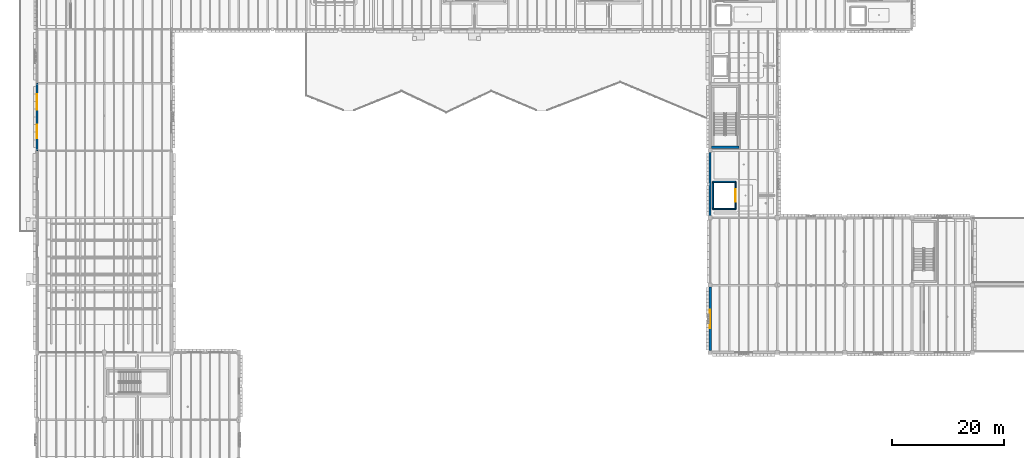
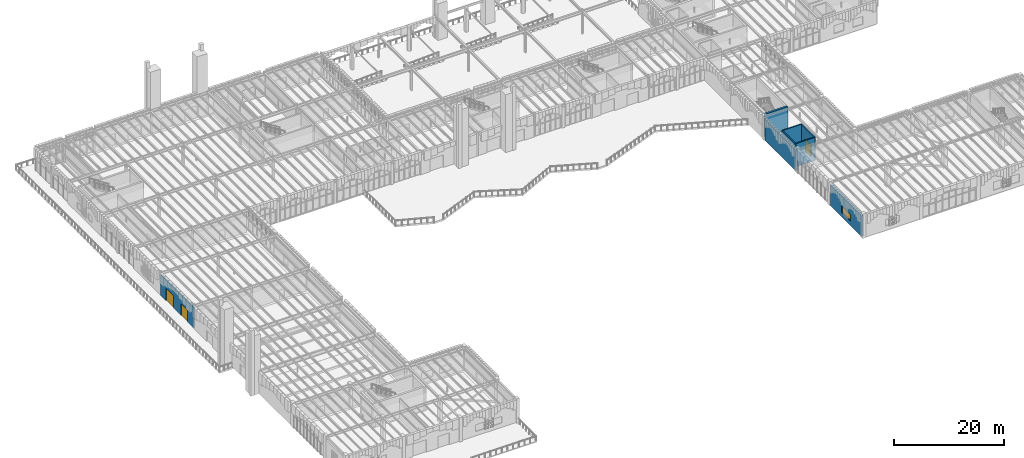
# One storey, part 52 of 103: 8 walls, 3 doors, 1 window, 4 openings.
"""IFC4 building model written with IfcOpenShell, lengths in metres."""

import ifcopenshell
import ifcopenshell.guid

model = None  # the IFC model being written
_history = None  # IfcOwnerHistory: only IFC2X3 demands one
_inside = {}  # id of a spatial element -> (the spatial element, [elements in it])
_under = {}  # id of a project, library or spatial element -> (it, [spatial elements below it])
_declared = {}  # id of a project -> (the project, [libraries it declares])
_typed = {}  # id of a type object -> (the type object, [elements of that type])
_made_of = {}  # id of a material, layer set ... -> (it, [elements and type objects made of it])


def new_model(schema):
    """Start an empty IFC model of exactly this schema.

    Asked for "IFC4X3", IfcOpenShell would pick the latest addendum, in which some entities
    have other attributes; the version numbers below select the first issue.
    IFC2X3 requires an IfcOwnerHistory on every rooted entity: one is made here for all.
    """
    global model, _history
    if schema == "IFC4X3":
        model = ifcopenshell.file(schema_version=(4, 3, 0, 0))
    else:
        model = ifcopenshell.file(schema=schema)
    _inside.clear()
    _under.clear()
    _declared.clear()
    _typed.clear()
    _made_of.clear()
    _history = None
    if model.schema == "IFC2X3":
        org = make("IfcOrganization", Name="unknown")
        user = make(
            "IfcPersonAndOrganization",
            ThePerson=make("IfcPerson", FamilyName="unknown"),
            TheOrganization=org,
        )
        app = make(
            "IfcApplication",
            ApplicationDeveloper=org,
            Version="unknown",
            ApplicationFullName="unknown",
            ApplicationIdentifier="unknown",
        )
        _history = make(
            "IfcOwnerHistory",
            OwningUser=user,
            OwningApplication=app,
            ChangeAction="ADDED",
            CreationDate=0,
        )
    return model


def make(cls, **values):
    """One entity of the class cls with the attributes given. An attribute that is None is left unset."""
    return model.create_entity(
        cls, **{name: value for name, value in values.items() if value is not None}
    )


def rooted(cls, **values):
    """An entity with a GlobalId (a new one), such as an element, a storey or a relation."""
    return make(cls, GlobalId=ifcopenshell.guid.new(), OwnerHistory=_history, **values)


def si_unit(unit_type, name, prefix=None):
    """IfcSIUnit, for example si_unit("LENGTHUNIT", "METRE", prefix="MILLI")."""
    return make("IfcSIUnit", UnitType=unit_type, Prefix=prefix, Name=name)


def assignment(units):
    """IfcUnitAssignment: the units of a project."""
    return None if units is None else make("IfcUnitAssignment", Units=units)


def point(xyz):
    """IfcCartesianPoint."""
    return None if xyz is None else make("IfcCartesianPoint", Coordinates=xyz)


def direction(xyz):
    """IfcDirection."""
    return None if xyz is None else make("IfcDirection", DirectionRatios=xyz)


def frame(location, z_axis=None, x_axis=None):
    """IfcAxis2Placement3D, a coordinate frame: its origin and axes. An axis left out is left unset."""
    return make(
        "IfcAxis2Placement3D",
        Location=point(location),
        Axis=direction(z_axis),
        RefDirection=direction(x_axis),
    )


def frame_2d(location, x_axis=None):
    """IfcAxis2Placement2D, a coordinate frame in the plane: its origin and x axis."""
    return make(
        "IfcAxis2Placement2D", Location=point(location), RefDirection=direction(x_axis)
    )


def origin():
    """The frame at (0, 0, 0) with its axes left unset."""
    return frame((0.0, 0.0, 0.0))


def place(relative_to, where):
    """IfcLocalPlacement: puts the frame where relative to a parent placement (None: the world)."""
    return make(
        "IfcLocalPlacement", PlacementRelTo=relative_to, RelativePlacement=where
    )


def context(
    kind, dimensions, precision=None, world=None, true_north=None, identifier=None
):
    """IfcGeometricRepresentationContext, for example the 3D "Model" context."""
    return make(
        "IfcGeometricRepresentationContext",
        ContextIdentifier=identifier,
        ContextType=kind,
        CoordinateSpaceDimension=dimensions,
        Precision=precision,
        WorldCoordinateSystem=world,
        TrueNorth=true_north,
    )


def subcontext(parent, identifier, kind, view, scale=None):
    """IfcGeometricRepresentationSubContext, for example "Body" below "Model"."""
    return make(
        "IfcGeometricRepresentationSubContext",
        ContextIdentifier=identifier,
        ContextType=kind,
        ParentContext=parent,
        TargetScale=scale,
        TargetView=view,
    )


def project(units=None, contexts=None):
    """IfcProject with its units and contexts."""
    return rooted(
        "IfcProject",
        Name="project",
        RepresentationContexts=contexts,
        UnitsInContext=assignment(units),
    )


def spatial(cls, under=None, at=None, **own):
    """A site, building, storey or space (cls), placed at a placement, below another one or the project."""
    s = rooted(cls, ObjectPlacement=at, **own)
    if under is not None:
        _under.setdefault(under.id(), (under, []))[1].append(s)
    return s


def profile(cls, at=None, kind="AREA", **sizes):
    """A parametric profile (cls). Its sizes go by their IFC names, for example OverallWidth=200.0."""
    return make(cls, ProfileType=kind, Position=at, **sizes)


def rectangle(**sizes):
    """IfcRectangleProfileDef."""
    return profile("IfcRectangleProfileDef", **sizes)


def extrude(swept, where, along, depth):
    """IfcExtrudedAreaSolid: the profile swept, set in the frame where, extruded along a direction by depth."""
    return make(
        "IfcExtrudedAreaSolid",
        SweptArea=swept,
        Position=where,
        ExtrudedDirection=direction(along),
        Depth=depth,
    )


def shape(context_of_items, identifier, shape_type, items):
    """IfcShapeRepresentation: the items that make up one representation, for example the "Body"."""
    return make(
        "IfcShapeRepresentation",
        ContextOfItems=context_of_items,
        RepresentationIdentifier=identifier,
        RepresentationType=shape_type,
        Items=items,
    )


def material(Name=None, Category=None):
    """IfcMaterial."""
    return make("IfcMaterial", Name=Name, Category=Category)


def layer(
    of_material, thickness, ventilated=None, Name=None, Category=None, Priority=None
):
    """IfcMaterialLayer: one layer of a wall or slab, of a material (None: an air gap)."""
    return make(
        "IfcMaterialLayer",
        Material=of_material,
        LayerThickness=thickness,
        IsVentilated=ventilated,
        Name=Name,
        Category=Category,
        Priority=Priority,
    )


def layer_set(layers, Name=None):
    """IfcMaterialLayerSet."""
    return make("IfcMaterialLayerSet", MaterialLayers=layers, LayerSetName=Name)


def made_of(thing, what):
    """Note that an element or type object is made of a material, layer set ...; save() writes the relation."""
    if what is not None:
        _made_of.setdefault(what.id(), (what, []))[1].append(thing)
    return thing


def type_object(cls, material=None, **own):
    """A type object (cls), such as IfcWallType, which elements share."""
    return made_of(rooted(cls, **own), material)


def element(
    cls,
    number,
    at=None,
    inside=None,
    cuts=None,
    type_object=None,
    material=None,
    context=None,
    identifier="Body",
    shape_type=None,
    held_by="IfcProductDefinitionShape",
    body=None,
    shapes=None,
    **own,
):
    """One element of the class cls, such as IfcWall. Its Tag is "e" and its number.

    at: its placement. inside: the storey or other place that contains it. cuts: it is an
    opening in that element (IfcRelVoidsElement). A single representation is given by context,
    identifier, shape_type and body (its items); several are given by shapes. held_by: the class
    of the entity that holds the representations. save() writes the other relations.
    """
    e = rooted(cls, Tag="e%d" % number, ObjectPlacement=at, **own)
    if body is not None:
        shapes = [shape(context, identifier, shape_type, body)]
    if shapes is not None:
        e.Representation = make(held_by, Representations=shapes)
    if inside is not None:
        _inside.setdefault(inside.id(), (inside, []))[1].append(e)
    if cuts is not None:
        rooted(
            "IfcRelVoidsElement", RelatingBuildingElement=cuts, RelatedOpeningElement=e
        )
    if type_object is not None:
        _typed.setdefault(type_object.id(), (type_object, []))[1].append(e)
    return made_of(e, material)


def fill(opening, filler):
    """IfcRelFillsElement: the door or window that sits in an opening."""
    return rooted(
        "IfcRelFillsElement",
        RelatingOpeningElement=opening,
        RelatedBuildingElement=filler,
    )


def aggregate(whole, parts):
    """IfcRelAggregates: a whole, such as a stair, and the parts it consists of."""
    return rooted("IfcRelAggregates", RelatingObject=whole, RelatedObjects=parts)


def save(model, path):
    """Write the relations noted so far, then the file.

    IfcRelAggregates (storeys below a building ...), IfcRelContainedInSpatialStructure (elements
    in a storey), IfcRelDefinesByType, IfcRelAssociatesMaterial and IfcRelDeclares: one each for
    every whole, place, type object, material and project.
    """
    for whole, parts in _under.values():
        aggregate(whole, parts)
    for where, things in _inside.values():
        rooted(
            "IfcRelContainedInSpatialStructure",
            RelatedElements=things,
            RelatingStructure=where,
        )
    for kind, things in _typed.values():
        rooted("IfcRelDefinesByType", RelatedObjects=things, RelatingType=kind)
    for what, things in _made_of.values():
        rooted("IfcRelAssociatesMaterial", RelatedObjects=things, RelatingMaterial=what)
    for by, libraries in _declared.values():
        rooted("IfcRelDeclares", RelatingContext=by, RelatedDefinitions=libraries)
    model.write(path)


model = new_model("IFC4")

# Units and contexts
model_context = context("Model", 3, precision=1e-05, world=origin(), true_north=direction((0.0, 1.0)))
body_context = subcontext(model_context, "Body", "Model", "MODEL_VIEW")
ifc_project = project(units=[si_unit("LENGTHUNIT", "METRE"), si_unit("AREAUNIT", "SQUARE_METRE"), si_unit("VOLUMEUNIT", "CUBIC_METRE"), si_unit("PLANEANGLEUNIT", "RADIAN"), si_unit("MASSUNIT", "GRAM", prefix="KILO")], contexts=[model_context])

# Site, building, storey
site_placement = place(None, origin())
site = spatial("IfcSite", under=ifc_project, at=site_placement, CompositionType="ELEMENT")
building_placement = place(site_placement, origin())
building = spatial("IfcBuilding", under=site, at=building_placement, Name="Zlatogorsky Bluff Art Gallery", CompositionType="ELEMENT")
storey_placement = place(building_placement, origin())
storey = spatial("IfcBuildingStorey", under=building, at=storey_placement, Name="L00", CompositionType="ELEMENT", Elevation=0.0)

# Wall
ifc_material_1 = material(Name="Precast concrete C40/50", Category="concrete")
ifc_layer_1 = layer(ifc_material_1, 0.360107421875)
ifc_layer_set_1 = layer_set([ifc_layer_1], Name="Exterior Wall EW-01 360mm")
wall_type_1 = type_object("IfcWallType", Name="Exterior Wall EW-01 360mm", PredefinedType="SOLIDWALL", material=ifc_layer_set_1)
wall_1_placement = place(storey_placement, frame((120.0, 62.030029296875, 0.0), z_axis=(0.0, 0.0, 1.0), x_axis=(0.0, -1.0, 0.0)))
element("IfcWall", 1, at=wall_1_placement, inside=storey, type_object=wall_type_1, Name="Exterior wall EW-01 L00 W 10.5", PredefinedType="SOLIDWALL", context=body_context, shape_type="SweptSolid", body=[
    extrude(rectangle(XDim=11.260009765625, YDim=0.360107421875, at=frame_2d((5.6298828125, 0.0))), origin(), (0.0, 0.0, 1.0), 4.56005859375),
])

# Wall, opening, window
ifc_layer_2 = layer(ifc_material_1, 0.43994140625)
ifc_layer_set_2 = layer_set([ifc_layer_2], Name="Exterior Wall EW-03 440mm")
wall_type_2 = type_object("IfcWallType", Name="Exterior Wall EW-03 440mm", PredefinedType="SOLIDWALL", material=ifc_layer_set_2)
wall_2_placement = place(storey_placement, frame((120.0, 38.030029296875, 0.0), z_axis=(0.0, 0.0, 1.0), x_axis=(0.0, -1.0, 0.0)))
wall_2 = element("IfcWall", 2, at=wall_2_placement, inside=storey, type_object=wall_type_2, Name="Exterior wall EW-03 L00 W 10.3", PredefinedType="SOLIDWALL", context=body_context, shape_type="SweptSolid", body=[
    extrude(rectangle(XDim=11.260009765625, YDim=0.43994140625, at=frame_2d((5.6298828125, 0.0))), origin(), (0.0, 0.0, 1.0), 4.56005859375),
])
opening_1_placement = place(wall_2_placement, frame((3.97998046875, 0.0, 0.949951171875)))
opening_1 = element("IfcOpeningElement", 3, at=opening_1_placement, cuts=wall_2, Name="Opening WN-12", PredefinedType="OPENING", context=body_context, shape_type="SweptSolid", body=[
    extrude(rectangle(XDim=3.300048828125, YDim=1.5, at=frame_2d((1.64990234375, 0.75))), frame((0.0, 0.22998046875, 0.0), z_axis=(0.0, -1.0, 0.0), x_axis=(1.0, 0.0, 0.0)), (0.0, 0.0, 1.0), 0.4599609375),
])
ifc_material_2 = material(Name="Bronze-Anodised Aluminium Triple Glazing", Category="aluminium")
window_type = type_object("IfcWindowType", Name="Pointed-Reveal Window WN-12 3300x1500", PartitioningType="SINGLE_PANEL", PredefinedType="WINDOW", material=ifc_material_2)
window_placement = place(opening_1_placement, origin())
window = element("IfcWindow", 4, at=window_placement, inside=storey, type_object=window_type, Name="Window WN-12 L00.W.10.3.1", OverallHeight=1.5, OverallWidth=3.300048828125, PartitioningType="SINGLE_PANEL", PredefinedType="WINDOW", context=body_context, shape_type="SweptSolid", body=[
    extrude(rectangle(XDim=3.300048828125, YDim=1.5, at=frame_2d((1.64990234375, 0.75))), frame((0.0, 0.030029296875, 0.0), z_axis=(0.0, -1.0, 0.0), x_axis=(1.0, 0.0, 0.0)), (0.0, 0.0, 1.0), 0.06005859375),
])
fill(opening_1, window)

# Wall, openings, doors
ifc_layer_3 = layer(ifc_material_1, 0.320068359375)
ifc_layer_set_3 = layer_set([ifc_layer_3], Name="Exterior Wall EW-04 320mm")
wall_type_3 = type_object("IfcWallType", Name="Exterior Wall EW-04 320mm", PredefinedType="SOLIDWALL", material=ifc_layer_set_3)
wall_3_placement = place(storey_placement, frame((0.0, 74.39990234375, 0.0), z_axis=(0.0, 0.0, 1.0), x_axis=(0.0, -1.0, 0.0)))
wall_3 = element("IfcWall", 5, at=wall_3_placement, inside=storey, type_object=wall_type_3, Name="Exterior wall EW-04 L00 W 0.6", PredefinedType="SOLIDWALL", context=body_context, shape_type="SweptSolid", body=[
    extrude(rectangle(XDim=12.0, YDim=0.320068359375, at=frame_2d((6.0, 0.0))), origin(), (0.0, 0.0, 1.0), 4.56005859375),
])
opening_2_placement = place(wall_3_placement, frame((1.9599609375, 0.0, 0.0)))
opening_2 = element("IfcOpeningElement", 6, at=opening_2_placement, cuts=wall_3, Name="Opening ED-T3", PredefinedType="OPENING", context=body_context, shape_type="SweptSolid", body=[
    extrude(rectangle(XDim=2.800048828125, YDim=2.800048828125, at=frame_2d((1.39990234375, 1.39990234375))), frame((0.0, 0.169921875, 0.0), z_axis=(0.0, -1.0, 0.0), x_axis=(1.0, 0.0, 0.0)), (0.0, 0.0, 1.0), 0.340087890625),
])
opening_3_placement = place(wall_3_placement, frame((7.43994140625, 0.0, 0.0)))
opening_3 = element("IfcOpeningElement", 7, at=opening_3_placement, cuts=wall_3, Name="Opening ED-T2", PredefinedType="OPENING", context=body_context, shape_type="SweptSolid", body=[
    extrude(rectangle(XDim=2.39990234375, YDim=2.60009765625, at=frame_2d((1.199951171875, 1.300048828125))), frame((0.0, 0.169921875, 0.0), z_axis=(0.0, -1.0, 0.0), x_axis=(1.0, 0.0, 0.0)), (0.0, 0.0, 1.0), 0.340087890625),
])
ifc_material_3 = material(Name="Bronze-Clad Thermally Broken Steel and Laminated Glass", Category="steel")
door_type_1 = type_object("IfcDoorType", Name="Exterior Door ED-T2 2400x2600", OperationType="DOUBLE_DOOR_SINGLE_SWING", PredefinedType="DOOR", material=ifc_material_3)
door_1_placement = place(opening_3_placement, frame((2.39990234375, 0.0, 0.0), z_axis=(0.0, 0.0, 1.0), x_axis=(-1.0, 0.0, 0.0)))
door_1 = element("IfcDoor", 8, at=door_1_placement, inside=storey, type_object=door_type_1, Name="Ground exit portal double door ED-T2 W.0.6.2", OperationType="DOUBLE_DOOR_SINGLE_SWING", OverallHeight=2.60009765625, OverallWidth=2.39990234375, PredefinedType="DOOR", context=body_context, shape_type="SweptSolid", body=[
    extrude(rectangle(XDim=2.39990234375, YDim=2.60009765625, at=frame_2d((1.199951171875, 1.300048828125))), frame((0.0, 0.02490234375, 0.0), z_axis=(0.0, -1.0, 0.0), x_axis=(1.0, 0.0, 0.0)), (0.0, 0.0, 1.0), 0.050048828125),
])
fill(opening_3, door_1)
door_type_2 = type_object("IfcDoorType", Name="Exterior Door ED-T3 2800x2800", OperationType="DOUBLE_DOOR_SINGLE_SWING", PredefinedType="DOOR", material=ifc_material_3)
door_2_placement = place(opening_2_placement, frame((2.800048828125, 0.0, 0.0), z_axis=(0.0, 0.0, 1.0), x_axis=(-1.0, 0.0, 0.0)))
door_2 = element("IfcDoor", 9, at=door_2_placement, inside=storey, type_object=door_type_2, Name="Ground exit portal double door ED-T3 W.0.6.1", OperationType="DOUBLE_DOOR_SINGLE_SWING", OverallHeight=2.800048828125, OverallWidth=2.800048828125, PredefinedType="DOOR", context=body_context, shape_type="SweptSolid", body=[
    extrude(rectangle(XDim=2.800048828125, YDim=2.800048828125, at=frame_2d((1.39990234375, 1.39990234375))), frame((0.0, 0.02490234375, 0.0), z_axis=(0.0, -1.0, 0.0), x_axis=(1.0, 0.0, 0.0)), (0.0, 0.0, 1.0), 0.050048828125),
])
fill(opening_2, door_2)

# Wall
ifc_material_4 = material(Name="Concrete C35/45", Category="concrete")
ifc_layer_4 = layer(ifc_material_4, 0.25)
ifc_layer_set_4 = layer_set([ifc_layer_4], Name="Interior Wall IW-05 250mm")
wall_type_4 = type_object("IfcWallType", Name="Interior Wall IW-05 250mm", PredefinedType="SOLIDWALL", material=ifc_layer_set_4)
wall_4_placement = place(storey_placement, frame((120.4951171875, 51.97509765625, 0.0), z_axis=(0.0, 0.0, 1.0), x_axis=(1.0, 0.0, 0.0)))
element("IfcWall", 10, at=wall_4_placement, inside=storey, type_object=wall_type_4, Name="Lift GL-1 shaft wall L00 S", PredefinedType="SOLIDWALL", context=body_context, shape_type="SweptSolid", body=[
    extrude(rectangle(XDim=4.0498046875, YDim=0.25, at=frame_2d((2.02490234375, 0.0))), origin(), (0.0, 0.0, 1.0), 5.139892578125),
])

# Wall, opening, door
wall_5_placement = place(storey_placement, frame((124.544921875, 51.97509765625, 0.0), z_axis=(0.0, 0.0, 1.0), x_axis=(0.0, 1.0, 0.0)))
wall_5 = element("IfcWall", 11, at=wall_5_placement, inside=storey, type_object=wall_type_4, Name="Lift GL-1 shaft wall L00 E", PredefinedType="SOLIDWALL", context=body_context, shape_type="SweptSolid", body=[
    extrude(rectangle(XDim=4.849853515625, YDim=0.25, at=frame_2d((2.4248046875, 0.0))), origin(), (0.0, 0.0, 1.0), 5.139892578125),
])
opening_4_placement = place(wall_5_placement, frame((1.324951171875, 0.0, 0.0)))
opening_4 = element("IfcOpeningElement", 12, at=opening_4_placement, cuts=wall_5, Name="Opening LD-04", PredefinedType="OPENING", context=body_context, shape_type="SweptSolid", body=[
    extrude(rectangle(XDim=2.199951171875, YDim=2.64990234375, at=frame_2d((1.10009765625, 1.324951171875))), frame((0.0, 0.135009765625, 0.0), z_axis=(0.0, -1.0, 0.0), x_axis=(1.0, 0.0, 0.0)), (0.0, 0.0, 1.0), 0.27001953125),
])
ifc_material_5 = material(Name="Anodised Aluminium and Laminated Timber", Category="wood")
door_type_3 = type_object("IfcDoorType", Name="Interior Door LD-04 2200x2650", OperationType="DOUBLE_DOOR_SLIDING", PredefinedType="DOOR", material=ifc_material_5)
door_3_placement = place(opening_4_placement, origin())
door_3 = element("IfcDoor", 13, at=door_3_placement, inside=storey, type_object=door_type_3, Name="Lift GL-1 sliding landing door L00", OperationType="DOUBLE_DOOR_SLIDING", OverallHeight=2.64990234375, OverallWidth=2.199951171875, PredefinedType="DOOR", context=body_context, shape_type="SweptSolid", body=[
    extrude(rectangle(XDim=2.199951171875, YDim=2.64990234375, at=frame_2d((1.10009765625, 1.324951171875))), frame((0.0, 0.02490234375, 0.0), z_axis=(0.0, -1.0, 0.0), x_axis=(1.0, 0.0, 0.0)), (0.0, 0.0, 1.0), 0.050048828125),
])
fill(opening_4, door_3)

# Walls
wall_6_placement = place(storey_placement, frame((124.544921875, 56.824951171875, 0.0), z_axis=(0.0, 0.0, 1.0), x_axis=(-1.0, 0.0, 0.0)))
element("IfcWall", 14, at=wall_6_placement, inside=storey, type_object=wall_type_4, Name="Lift GL-1 shaft wall L00 N", PredefinedType="SOLIDWALL", context=body_context, shape_type="SweptSolid", body=[
    extrude(rectangle(XDim=4.0498046875, YDim=0.25, at=frame_2d((2.02490234375, 0.0))), origin(), (0.0, 0.0, 1.0), 5.139892578125),
])
wall_7_placement = place(storey_placement, frame((120.4951171875, 56.824951171875, 0.0), z_axis=(0.0, 0.0, 1.0), x_axis=(0.0, -1.0, 0.0)))
element("IfcWall", 15, at=wall_7_placement, inside=storey, type_object=wall_type_4, Name="Lift GL-1 shaft wall L00 W", PredefinedType="SOLIDWALL", context=body_context, shape_type="SweptSolid", body=[
    extrude(rectangle(XDim=4.849853515625, YDim=0.25, at=frame_2d((2.4248046875, 0.0))), origin(), (0.0, 0.0, 1.0), 5.139892578125),
])
ifc_layer_5 = layer(ifc_material_4, 0.39990234375)
ifc_layer_set_5 = layer_set([ifc_layer_5], Name="Interior Wall SW-03 400mm")
wall_type_5 = type_object("IfcWallType", Name="Interior Wall SW-03 400mm", PredefinedType="SHEAR", material=ifc_layer_set_5)
wall_8_placement = place(storey_placement, frame((120.300048828125, 63.0, 0.0), z_axis=(0.0, 0.0, 1.0), x_axis=(1.0, 0.0, 0.0)))
element("IfcWall", 16, at=wall_8_placement, inside=storey, type_object=wall_type_5, Name="Stair ST-06 enclosure wall L00 LEND", PredefinedType="SHEAR", context=body_context, shape_type="SweptSolid", body=[
    extrude(rectangle(XDim=4.849853515625, YDim=0.39990234375, at=frame_2d((2.4248046875, 0.0))), origin(), (0.0, 0.0, 1.0), 5.139892578125),
])

save(model, "model.ifc")
